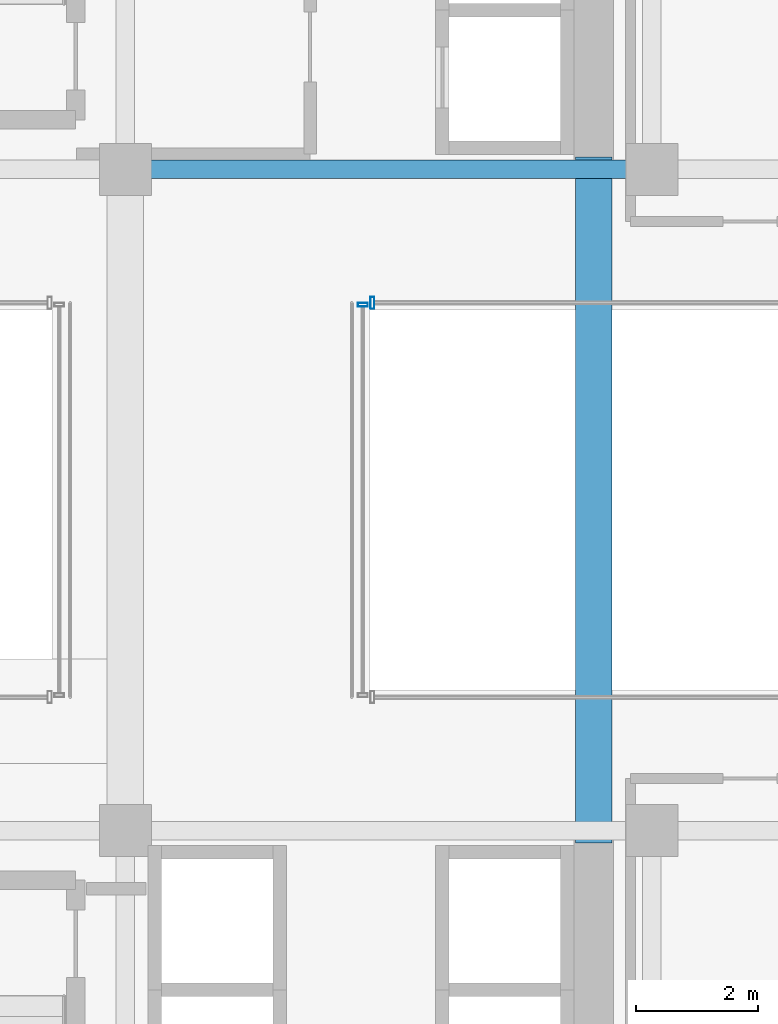
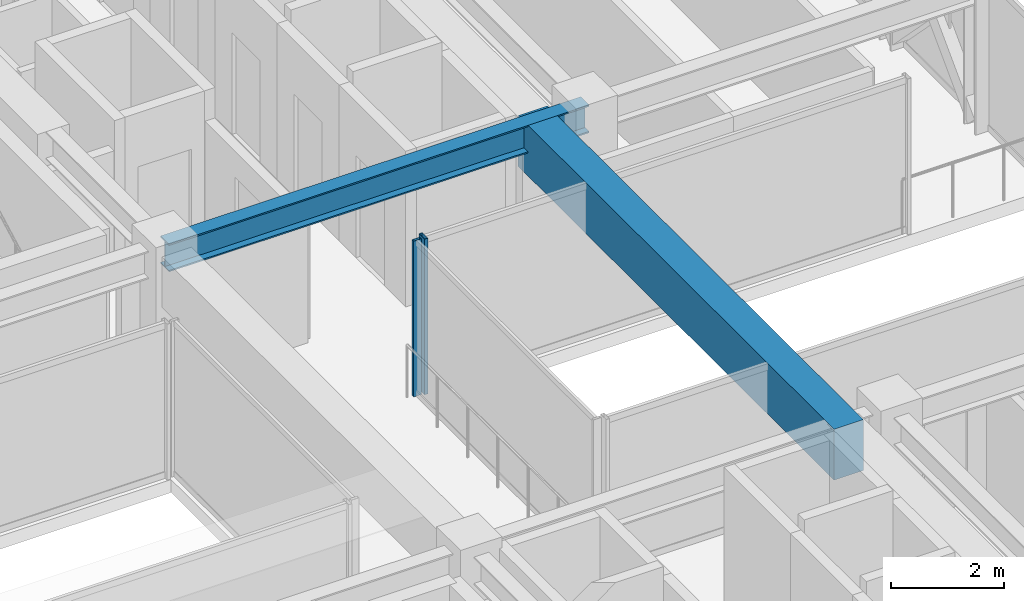
# One storey, part 21 of 42: 2 beams, 2 members, 2 elements without a shape of their own.
"""IFC4 building model written with IfcOpenShell, lengths in metres."""

from ifc_helpers import new_model, si_unit, direction, frame, origin, origin_2d, place, context, subcontext, project, spatial, rectangle, hollow_rectangle, i_section, extrude, source, transform, mapped, material, material_profile, profile_set, type_object, element, aggregate, save


model = new_model("IFC4")

# Units and contexts
model_context = context("Model", 3, precision=1e-05, world=origin(), true_north=direction((0.0, 1.0)))
body_context = subcontext(model_context, "Body", "Model", "MODEL_VIEW")
ifc_project = project(units=[si_unit("LENGTHUNIT", "METRE"), si_unit("AREAUNIT", "SQUARE_METRE"), si_unit("VOLUMEUNIT", "CUBIC_METRE"), si_unit("PLANEANGLEUNIT", "RADIAN"), si_unit("MASSUNIT", "GRAM", prefix="KILO")], contexts=[model_context])

# Site, building, storey
site_placement = place(None, origin())
site = spatial("IfcSite", under=ifc_project, at=site_placement, CompositionType="ELEMENT")
building_placement = place(site_placement, origin())
building = spatial("IfcBuilding", under=site, at=building_placement, Name="Nahalor Promenade Grand Hotel", CompositionType="ELEMENT")
storey_placement = place(building_placement, frame((0.0, 0.0, 61.60009765625)))
storey = spatial("IfcBuildingStorey", under=building, at=storey_placement, Name="L14", CompositionType="ELEMENT", Elevation=61.60009765625)

# Beams
ifc_material_1 = material(Name="Concrete B-60 (C50/60)", Category="concrete")
ifc_material_profile_1 = material_profile(ifc_material_1, rectangle(XDim=0.6, YDim=1.1, at=origin_2d()), Name="RC 600x1100")
ifc_profile_set_1 = profile_set([ifc_material_profile_1], Name="Concrete B-60 (C50/60)")
beam_type_1 = type_object("IfcBeamType", Name="Beam-Lintel-RC1100", PredefinedType="LINTEL", material=ifc_profile_set_1)
shared_shape_1 = source(origin(), body_context, "Body", "SweptSolid", [
    extrude(rectangle(XDim=0.6, YDim=1.1, at=origin_2d()), origin(), (0.0, 0.0, 1.0), 11.2001953125),
])
beam_1_placement = place(storey_placement, frame((16.050048828125, -5.60009765625, 2.81982421875), z_axis=(0.0, 1.0, 0.0), x_axis=(-1.0, 0.0, 0.0)))
element("IfcBeam", 1, at=beam_1_placement, inside=storey, type_object=beam_type_1, Name="BM-L14-LINT-E", PredefinedType="LINTEL", context=body_context, shape_type="MappedRepresentation", body=[
    mapped(shared_shape_1, transform((0.0, 0.0, 0.0), scale=1.0)),
])
ifc_material_2 = material(Name="Steel S355JR", Category="steel")
ifc_material_profile_2 = material_profile(ifc_material_2, i_section(OverallWidth=0.3, OverallDepth=0.6, WebThickness=0.0155, FlangeThickness=0.03, at=origin_2d()), Name="HEB 600")
ifc_profile_set_2 = profile_set([ifc_material_profile_2], Name="Steel S355JR")
beam_type_2 = type_object("IfcBeamType", Name="Beam-Girder-HEB600", PredefinedType="BEAM", material=ifc_profile_set_2)
shared_shape_2 = source(origin(), body_context, "Body", "SweptSolid", [
    extrude(i_section(OverallWidth=0.3, OverallDepth=0.6, WebThickness=0.0155, FlangeThickness=0.03, at=origin_2d()), origin(), (0.0, 0.0, 1.0), 8.60009765625),
])
beam_2_placement = place(storey_placement, frame((8.39990234375, 5.39990234375, 3.06982421875), z_axis=(1.0, 0.0, 0.0), x_axis=(0.0, 1.0, 0.0)))
element("IfcBeam", 2, at=beam_2_placement, inside=storey, type_object=beam_type_2, Name="BM-L14-GX-2-5", PredefinedType="BEAM", context=body_context, shape_type="MappedRepresentation", body=[
    mapped(shared_shape_2, transform((0.0, 0.0, 0.0), scale=1.0)),
])

# Curtain wall, member
ifc_material_3 = material(Name="Anodised Bronze Aluminium EN AW-6063 T6", Category="aluminium")
curtain_wall_type_1 = type_object("IfcCurtainWallType", Name="CW3 Elliptical-Void Collar Unitised Curtain Wall", PredefinedType="USERDEFINED", material=ifc_material_3)
curtain_wall_1_placement = place(storey_placement, origin())
curtain_wall_1 = element("IfcCurtainWall", 3, at=curtain_wall_1_placement, inside=storey, type_object=curtain_wall_type_1, Name="L14 Curtain Wall CW-L14-VOID-EN1", ObjectType="UNITISED_CURTAIN_WALL", PredefinedType="USERDEFINED")
ifc_material_profile_3 = material_profile(ifc_material_3, hollow_rectangle(XDim=0.07, YDim=0.2, WallThickness=0.005, at=origin_2d()), Name="CWM 70x200x5")
ifc_profile_set_3 = profile_set([ifc_material_profile_3], Name="Anodised Bronze Aluminium EN AW-6063 T6")
member_type_1 = type_object("IfcMemberType", Name="CWM3 Void Collar Mullion 70x200", PredefinedType="MULLION", material=ifc_profile_set_3)
shared_shape_3 = source(origin(), body_context, "Body", "SweptSolid", [
    extrude(hollow_rectangle(XDim=0.07, YDim=0.2, WallThickness=0.005, at=origin_2d()), origin(), (0.0, 0.0, 1.0), 3.369873046875),
])
member_1_placement = place(storey_placement, frame((12.43505859375, 3.219970703125, 0.0), z_axis=(0.0, 0.0, 1.0), x_axis=(1.0, 0.0, 0.0)))
member_1 = element("IfcMember", 4, at=member_1_placement, type_object=member_type_1, Name="CW-L14-VOID-EN1 Mullion 0", PredefinedType="MULLION", context=body_context, shape_type="MappedRepresentation", body=[
    mapped(shared_shape_3, transform((0.0, 0.0, 0.0), scale=1.0)),
])
aggregate(curtain_wall_1, [member_1])

curtain_wall_type_2 = type_object("IfcCurtainWallType", Name="CW4 Low-Iron Sky-Gallery Bridge Curtain Wall", PredefinedType="USERDEFINED", material=ifc_material_3)
curtain_wall_2_placement = place(storey_placement, origin())
curtain_wall_2 = element("IfcCurtainWall", 5, at=curtain_wall_2_placement, inside=storey, type_object=curtain_wall_type_2, Name="L14 Curtain Wall CW-L14-BRG-E", ObjectType="UNITISED_CURTAIN_WALL", PredefinedType="USERDEFINED")
ifc_material_profile_4 = material_profile(ifc_material_3, hollow_rectangle(XDim=0.06, YDim=0.16, WallThickness=0.004, at=origin_2d()), Name="CWM 60x160x4")
ifc_profile_set_4 = profile_set([ifc_material_profile_4], Name="Anodised Bronze Aluminium EN AW-6063 T6")
member_type_2 = type_object("IfcMemberType", Name="CWM4 Sky-Gallery Slim Mullion 60x160", PredefinedType="MULLION", material=ifc_profile_set_4)
shared_shape_4 = source(origin(), body_context, "Body", "SweptSolid", [
    extrude(hollow_rectangle(XDim=0.06, YDim=0.16, WallThickness=0.004, at=origin_2d()), origin(), (0.0, 0.0, 1.0), 3.369873046875),
])
member_2_placement = place(storey_placement, frame((12.280029296875, 3.18994140625, 0.0), z_axis=(0.0, 0.0, 1.0), x_axis=(0.0, 1.0, 0.0)))
member_2 = element("IfcMember", 6, at=member_2_placement, type_object=member_type_2, Name="CW-L14-BRG-E Mullion 1", PredefinedType="MULLION", context=body_context, shape_type="MappedRepresentation", body=[
    mapped(shared_shape_4, transform((0.0, 0.0, 0.0), scale=1.0)),
])
aggregate(curtain_wall_2, [member_2])

save(model, "model.ifc")
